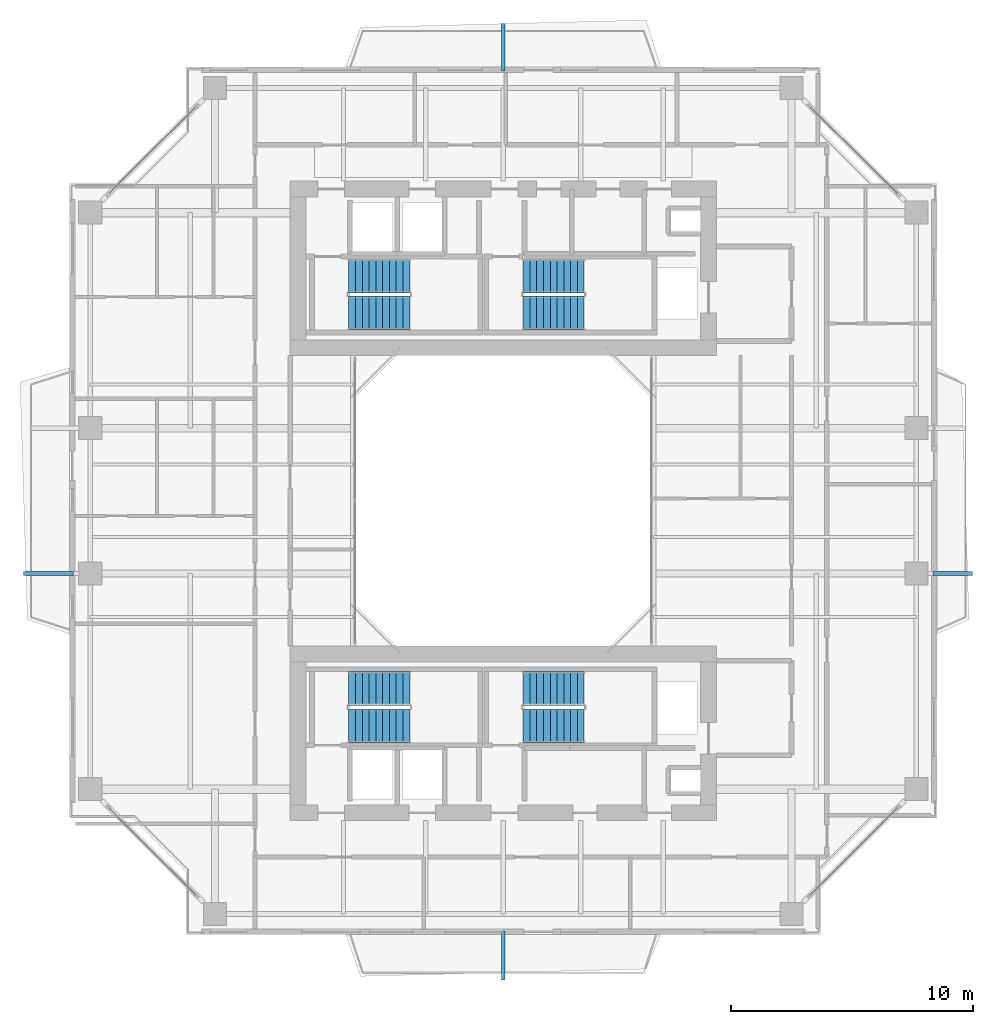
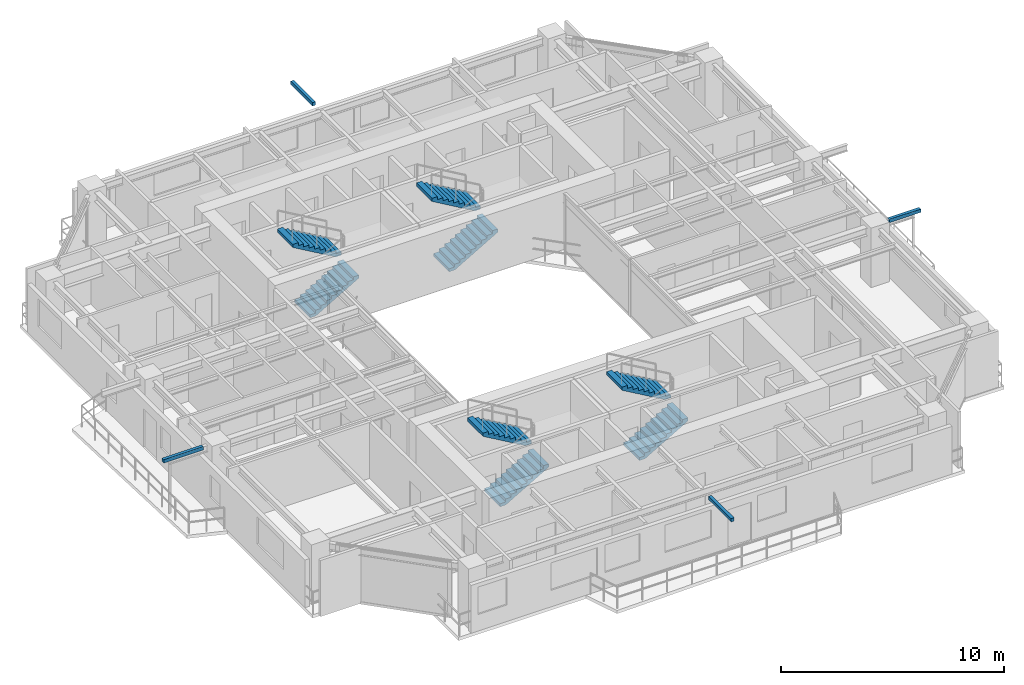
# One storey, part 15 of 18: 8 stair flights, 4 discrete accessories, 4 elements without a shape of their own.
"""IFC4 building model written with IfcOpenShell, lengths in metres."""

import ifcopenshell
import ifcopenshell.guid

model = None  # the IFC model being written
_history = None  # IfcOwnerHistory: only IFC2X3 demands one
_inside = {}  # id of a spatial element -> (the spatial element, [elements in it])
_under = {}  # id of a project, library or spatial element -> (it, [spatial elements below it])
_declared = {}  # id of a project -> (the project, [libraries it declares])
_typed = {}  # id of a type object -> (the type object, [elements of that type])
_made_of = {}  # id of a material, layer set ... -> (it, [elements and type objects made of it])


def new_model(schema):
    """Start an empty IFC model of exactly this schema.

    Asked for "IFC4X3", IfcOpenShell would pick the latest addendum, in which some entities
    have other attributes; the version numbers below select the first issue.
    IFC2X3 requires an IfcOwnerHistory on every rooted entity: one is made here for all.
    """
    global model, _history
    if schema == "IFC4X3":
        model = ifcopenshell.file(schema_version=(4, 3, 0, 0))
    else:
        model = ifcopenshell.file(schema=schema)
    _inside.clear()
    _under.clear()
    _declared.clear()
    _typed.clear()
    _made_of.clear()
    _history = None
    if model.schema == "IFC2X3":
        org = make("IfcOrganization", Name="unknown")
        user = make(
            "IfcPersonAndOrganization",
            ThePerson=make("IfcPerson", FamilyName="unknown"),
            TheOrganization=org,
        )
        app = make(
            "IfcApplication",
            ApplicationDeveloper=org,
            Version="unknown",
            ApplicationFullName="unknown",
            ApplicationIdentifier="unknown",
        )
        _history = make(
            "IfcOwnerHistory",
            OwningUser=user,
            OwningApplication=app,
            ChangeAction="ADDED",
            CreationDate=0,
        )
    return model


def make(cls, **values):
    """One entity of the class cls with the attributes given. An attribute that is None is left unset."""
    return model.create_entity(
        cls, **{name: value for name, value in values.items() if value is not None}
    )


def rooted(cls, **values):
    """An entity with a GlobalId (a new one), such as an element, a storey or a relation."""
    return make(cls, GlobalId=ifcopenshell.guid.new(), OwnerHistory=_history, **values)


def si_unit(unit_type, name, prefix=None):
    """IfcSIUnit, for example si_unit("LENGTHUNIT", "METRE", prefix="MILLI")."""
    return make("IfcSIUnit", UnitType=unit_type, Prefix=prefix, Name=name)


def assignment(units):
    """IfcUnitAssignment: the units of a project."""
    return None if units is None else make("IfcUnitAssignment", Units=units)


def point(xyz):
    """IfcCartesianPoint."""
    return None if xyz is None else make("IfcCartesianPoint", Coordinates=xyz)


def direction(xyz):
    """IfcDirection."""
    return None if xyz is None else make("IfcDirection", DirectionRatios=xyz)


def frame(location, z_axis=None, x_axis=None):
    """IfcAxis2Placement3D, a coordinate frame: its origin and axes. An axis left out is left unset."""
    return make(
        "IfcAxis2Placement3D",
        Location=point(location),
        Axis=direction(z_axis),
        RefDirection=direction(x_axis),
    )


def frame_2d(location, x_axis=None):
    """IfcAxis2Placement2D, a coordinate frame in the plane: its origin and x axis."""
    return make(
        "IfcAxis2Placement2D", Location=point(location), RefDirection=direction(x_axis)
    )


def origin():
    """The frame at (0, 0, 0) with its axes left unset."""
    return frame((0.0, 0.0, 0.0))


def origin_2d():
    """The frame at (0, 0) in the plane with its x axis left unset."""
    return frame_2d((0.0, 0.0))


def place(relative_to, where):
    """IfcLocalPlacement: puts the frame where relative to a parent placement (None: the world)."""
    return make(
        "IfcLocalPlacement", PlacementRelTo=relative_to, RelativePlacement=where
    )


def context(
    kind, dimensions, precision=None, world=None, true_north=None, identifier=None
):
    """IfcGeometricRepresentationContext, for example the 3D "Model" context."""
    return make(
        "IfcGeometricRepresentationContext",
        ContextIdentifier=identifier,
        ContextType=kind,
        CoordinateSpaceDimension=dimensions,
        Precision=precision,
        WorldCoordinateSystem=world,
        TrueNorth=true_north,
    )


def subcontext(parent, identifier, kind, view, scale=None):
    """IfcGeometricRepresentationSubContext, for example "Body" below "Model"."""
    return make(
        "IfcGeometricRepresentationSubContext",
        ContextIdentifier=identifier,
        ContextType=kind,
        ParentContext=parent,
        TargetScale=scale,
        TargetView=view,
    )


def project(units=None, contexts=None):
    """IfcProject with its units and contexts."""
    return rooted(
        "IfcProject",
        Name="project",
        RepresentationContexts=contexts,
        UnitsInContext=assignment(units),
    )


def spatial(cls, under=None, at=None, **own):
    """A site, building, storey or space (cls), placed at a placement, below another one or the project."""
    s = rooted(cls, ObjectPlacement=at, **own)
    if under is not None:
        _under.setdefault(under.id(), (under, []))[1].append(s)
    return s


def polyline(points):
    """IfcPolyline through the points."""
    return make("IfcPolyline", Points=[point(p) for p in points])


def profile(cls, at=None, kind="AREA", **sizes):
    """A parametric profile (cls). Its sizes go by their IFC names, for example OverallWidth=200.0."""
    return make(cls, ProfileType=kind, Position=at, **sizes)


def rectangle(**sizes):
    """IfcRectangleProfileDef."""
    return profile("IfcRectangleProfileDef", **sizes)


def outline(outer, holes=None, kind="AREA"):
    """IfcArbitraryClosedProfileDef: a profile drawn as a closed curve; with holes, ...WithVoids."""
    if holes is None:
        return make("IfcArbitraryClosedProfileDef", ProfileType=kind, OuterCurve=outer)
    return make(
        "IfcArbitraryProfileDefWithVoids",
        ProfileType=kind,
        OuterCurve=outer,
        InnerCurves=holes,
    )


def extrude(swept, where, along, depth):
    """IfcExtrudedAreaSolid: the profile swept, set in the frame where, extruded along a direction by depth."""
    return make(
        "IfcExtrudedAreaSolid",
        SweptArea=swept,
        Position=where,
        ExtrudedDirection=direction(along),
        Depth=depth,
    )


def shape(context_of_items, identifier, shape_type, items):
    """IfcShapeRepresentation: the items that make up one representation, for example the "Body"."""
    return make(
        "IfcShapeRepresentation",
        ContextOfItems=context_of_items,
        RepresentationIdentifier=identifier,
        RepresentationType=shape_type,
        Items=items,
    )


def source(mapping_origin, context_of_items, identifier, shape_type, items):
    """IfcRepresentationMap: a shape defined once, which mapped items show again and again."""
    return make(
        "IfcRepresentationMap",
        MappingOrigin=mapping_origin,
        MappedRepresentation=shape(context_of_items, identifier, shape_type, items),
    )


def transform(
    local_origin,
    x_axis=None,
    y_axis=None,
    z_axis=None,
    scale=None,
    scale2=None,
    scale3=None,
    uniform=True,
):
    """IfcCartesianTransformationOperator3D, or its non-uniform kind. x_axis, y_axis, z_axis: its Axis1, 2, 3."""
    if uniform:
        return make(
            "IfcCartesianTransformationOperator3D",
            Axis1=direction(x_axis),
            Axis2=direction(y_axis),
            LocalOrigin=point(local_origin),
            Scale=scale,
            Axis3=direction(z_axis),
        )
    return make(
        "IfcCartesianTransformationOperator3DnonUniform",
        Axis1=direction(x_axis),
        Axis2=direction(y_axis),
        LocalOrigin=point(local_origin),
        Scale=scale,
        Axis3=direction(z_axis),
        Scale2=scale2,
        Scale3=scale3,
    )


def mapped(mapping_source, mapping_target):
    """IfcMappedItem: shows the shape of a source again, moved by a transform."""
    return make(
        "IfcMappedItem", MappingSource=mapping_source, MappingTarget=mapping_target
    )


def material(Name=None, Category=None):
    """IfcMaterial."""
    return make("IfcMaterial", Name=Name, Category=Category)


def made_of(thing, what):
    """Note that an element or type object is made of a material, layer set ...; save() writes the relation."""
    if what is not None:
        _made_of.setdefault(what.id(), (what, []))[1].append(thing)
    return thing


def type_object(cls, material=None, **own):
    """A type object (cls), such as IfcWallType, which elements share."""
    return made_of(rooted(cls, **own), material)


def element(
    cls,
    number,
    at=None,
    inside=None,
    cuts=None,
    type_object=None,
    material=None,
    context=None,
    identifier="Body",
    shape_type=None,
    held_by="IfcProductDefinitionShape",
    body=None,
    shapes=None,
    **own,
):
    """One element of the class cls, such as IfcWall. Its Tag is "e" and its number.

    at: its placement. inside: the storey or other place that contains it. cuts: it is an
    opening in that element (IfcRelVoidsElement). A single representation is given by context,
    identifier, shape_type and body (its items); several are given by shapes. held_by: the class
    of the entity that holds the representations. save() writes the other relations.
    """
    e = rooted(cls, Tag="e%d" % number, ObjectPlacement=at, **own)
    if body is not None:
        shapes = [shape(context, identifier, shape_type, body)]
    if shapes is not None:
        e.Representation = make(held_by, Representations=shapes)
    if inside is not None:
        _inside.setdefault(inside.id(), (inside, []))[1].append(e)
    if cuts is not None:
        rooted(
            "IfcRelVoidsElement", RelatingBuildingElement=cuts, RelatedOpeningElement=e
        )
    if type_object is not None:
        _typed.setdefault(type_object.id(), (type_object, []))[1].append(e)
    return made_of(e, material)


def aggregate(whole, parts):
    """IfcRelAggregates: a whole, such as a stair, and the parts it consists of."""
    return rooted("IfcRelAggregates", RelatingObject=whole, RelatedObjects=parts)


def save(model, path):
    """Write the relations noted so far, then the file.

    IfcRelAggregates (storeys below a building ...), IfcRelContainedInSpatialStructure (elements
    in a storey), IfcRelDefinesByType, IfcRelAssociatesMaterial and IfcRelDeclares: one each for
    every whole, place, type object, material and project.
    """
    for whole, parts in _under.values():
        aggregate(whole, parts)
    for where, things in _inside.values():
        rooted(
            "IfcRelContainedInSpatialStructure",
            RelatedElements=things,
            RelatingStructure=where,
        )
    for kind, things in _typed.values():
        rooted("IfcRelDefinesByType", RelatedObjects=things, RelatingType=kind)
    for what, things in _made_of.values():
        rooted("IfcRelAssociatesMaterial", RelatedObjects=things, RelatingMaterial=what)
    for by, libraries in _declared.values():
        rooted("IfcRelDeclares", RelatingContext=by, RelatedDefinitions=libraries)
    model.write(path)


model = new_model("IFC4")

# Units and contexts
model_context = context("Model", 3, precision=1e-05, world=origin(), true_north=direction((0.0, 1.0)))
body_context = subcontext(model_context, "Body", "Model", "MODEL_VIEW")
ifc_project = project(units=[si_unit("LENGTHUNIT", "METRE"), si_unit("AREAUNIT", "SQUARE_METRE"), si_unit("VOLUMEUNIT", "CUBIC_METRE"), si_unit("PLANEANGLEUNIT", "RADIAN"), si_unit("MASSUNIT", "GRAM", prefix="KILO"), si_unit("THERMODYNAMICTEMPERATUREUNIT", "KELVIN"), si_unit("POWERUNIT", "WATT")], contexts=[model_context])

# Site, building, storey
site_placement = place(None, origin())
site = spatial("IfcSite", under=ifc_project, at=site_placement, CompositionType="ELEMENT")
building_placement = place(site_placement, origin())
building = spatial("IfcBuilding", under=site, at=building_placement, Name="Qiaomeng Ring Towers", CompositionType="ELEMENT")
storey_placement = place(building_placement, frame((0.0, 0.0, 147.0)))
storey = spatial("IfcBuildingStorey", under=building, at=storey_placement, Name="L42", CompositionType="ELEMENT", Elevation=147.0)

# Stair, stair flights
ifc_material_1 = material(Name="Precast concrete C40", Category="concrete")
stair_type = type_object("IfcStairType", Name="ARC-ST-325", PredefinedType="HALF_TURN_STAIR", material=ifc_material_1)
stair_1_placement = place(storey_placement, origin())
stair_1 = element("IfcStair", 1, at=stair_1_placement, inside=storey, type_object=stair_type, Name="L42 Tower 1 North Stair 1", PredefinedType="HALF_TURN_STAIR")
stair_flight_type = type_object("IfcStairFlightType", Name="ARC-ST-325-FL", PredefinedType="STRAIGHT", material=ifc_material_1)
shared_shape_1 = source(origin(), body_context, "Body", "SweptSolid", [
    extrude(outline(polyline([(0.0, 0.0), (0.0, 0.16259765625), (0.280029296875, 0.16259765625), (0.280029296875, 0.324951171875), (0.56005859375, 0.324951171875), (0.56005859375, 0.487548828125), (0.840087890625, 0.487548828125), (0.840087890625, 0.64990234375), (1.1201171875, 0.64990234375), (1.1201171875, 0.8125), (1.39990234375, 0.8125), (1.39990234375, 0.97509765625), (1.679931640625, 0.97509765625), (1.679931640625, 1.137451171875), (1.9599609375, 1.137451171875), (1.9599609375, 1.300048828125), (2.239990234375, 1.300048828125), (2.239990234375, 1.46240234375), (2.52001953125, 1.46240234375), (2.52001953125, 1.625), (2.52001953125, 1.2890625), (0.298583984375, 0.0), (0.0, 0.0)])), frame((0.0, 0.699951171875, 0.0), z_axis=(0.0, -1.0, 0.0), x_axis=(1.0, 0.0, 0.0)), (0.0, 0.0, 1.0), 1.39990234375),
])
stair_flight_1_placement = place(storey_placement, frame((12.6201171875, 30.75, 0.0), z_axis=(0.0, 0.0, 1.0), x_axis=(1.0, 0.0, 0.0)))
stair_flight_1 = element("IfcStairFlight", 2, at=stair_flight_1_placement, type_object=stair_flight_type, Name="ST1 flight 1", NumberOfRisers=10, NumberOfTreads=9, PredefinedType="STRAIGHT", RiserHeight=0.1625, TreadLength=0.28, context=body_context, shape_type="MappedRepresentation", body=[
    mapped(shared_shape_1, transform((0.0, 0.0, 0.0), x_axis=(1.0, 0.0, 0.0), y_axis=(0.0, 1.0, 0.0), z_axis=(0.0, 0.0, 1.0), scale=1.0)),
])
stair_flight_2_placement = place(storey_placement, frame((15.139892578125, 32.2900390625, 1.625), z_axis=(0.0, 0.0, 1.0), x_axis=(-1.0, 0.0, 0.0)))
stair_flight_2 = element("IfcStairFlight", 3, at=stair_flight_2_placement, type_object=stair_flight_type, Name="ST1 flight 2", NumberOfRisers=10, NumberOfTreads=9, PredefinedType="STRAIGHT", RiserHeight=0.1625, TreadLength=0.28, context=body_context, shape_type="MappedRepresentation", body=[
    mapped(shared_shape_1, transform((0.0, 0.0, 0.0), x_axis=(1.0, 0.0, 0.0), y_axis=(0.0, 1.0, 0.0), z_axis=(0.0, 0.0, 1.0), scale=1.0)),
])
aggregate(stair_1, [stair_flight_1, stair_flight_2])

stair_2_placement = place(storey_placement, origin())
stair_2 = element("IfcStair", 4, at=stair_2_placement, inside=storey, type_object=stair_type, Name="L42 Tower 1 North Stair 2", PredefinedType="HALF_TURN_STAIR")
stair_flight_3_placement = place(storey_placement, frame((19.820068359375, 30.75, 0.0), z_axis=(0.0, 0.0, 1.0), x_axis=(1.0, 0.0, 0.0)))
stair_flight_3 = element("IfcStairFlight", 5, at=stair_flight_3_placement, type_object=stair_flight_type, Name="ST2 flight 1", NumberOfRisers=10, NumberOfTreads=9, PredefinedType="STRAIGHT", RiserHeight=0.1625, TreadLength=0.28, context=body_context, shape_type="MappedRepresentation", body=[
    mapped(shared_shape_1, transform((0.0, 0.0, 0.0), x_axis=(1.0, 0.0, 0.0), y_axis=(0.0, 1.0, 0.0), z_axis=(0.0, 0.0, 1.0), scale=1.0)),
])
stair_flight_4_placement = place(storey_placement, frame((22.340087890625, 32.2900390625, 1.625), z_axis=(0.0, 0.0, 1.0), x_axis=(-1.0, 0.0, 0.0)))
stair_flight_4 = element("IfcStairFlight", 6, at=stair_flight_4_placement, type_object=stair_flight_type, Name="ST2 flight 2", NumberOfRisers=10, NumberOfTreads=9, PredefinedType="STRAIGHT", RiserHeight=0.1625, TreadLength=0.28, context=body_context, shape_type="MappedRepresentation", body=[
    mapped(shared_shape_1, transform((0.0, 0.0, 0.0), x_axis=(1.0, 0.0, 0.0), y_axis=(0.0, 1.0, 0.0), z_axis=(0.0, 0.0, 1.0), scale=1.0)),
])
aggregate(stair_2, [stair_flight_3, stair_flight_4])

stair_3_placement = place(storey_placement, origin())
stair_3 = element("IfcStair", 7, at=stair_3_placement, inside=storey, type_object=stair_type, Name="L42 Tower 1 South Stair 3", PredefinedType="HALF_TURN_STAIR")
stair_flight_5_placement = place(storey_placement, frame((12.6201171875, 13.7099609375, 0.0), z_axis=(0.0, 0.0, 1.0), x_axis=(1.0, 0.0, 0.0)))
stair_flight_5 = element("IfcStairFlight", 8, at=stair_flight_5_placement, type_object=stair_flight_type, Name="ST3 flight 1", NumberOfRisers=10, NumberOfTreads=9, PredefinedType="STRAIGHT", RiserHeight=0.1625, TreadLength=0.28, context=body_context, shape_type="MappedRepresentation", body=[
    mapped(shared_shape_1, transform((0.0, 0.0, 0.0), x_axis=(1.0, 0.0, 0.0), y_axis=(0.0, 1.0, 0.0), z_axis=(0.0, 0.0, 1.0), scale=1.0)),
])
stair_flight_6_placement = place(storey_placement, frame((15.139892578125, 15.25, 1.625), z_axis=(0.0, 0.0, 1.0), x_axis=(-1.0, 0.0, 0.0)))
stair_flight_6 = element("IfcStairFlight", 9, at=stair_flight_6_placement, type_object=stair_flight_type, Name="ST3 flight 2", NumberOfRisers=10, NumberOfTreads=9, PredefinedType="STRAIGHT", RiserHeight=0.1625, TreadLength=0.28, context=body_context, shape_type="MappedRepresentation", body=[
    mapped(shared_shape_1, transform((0.0, 0.0, 0.0), x_axis=(1.0, 0.0, 0.0), y_axis=(0.0, 1.0, 0.0), z_axis=(0.0, 0.0, 1.0), scale=1.0)),
])
aggregate(stair_3, [stair_flight_5, stair_flight_6])

stair_4_placement = place(storey_placement, origin())
stair_4 = element("IfcStair", 10, at=stair_4_placement, inside=storey, type_object=stair_type, Name="L42 Tower 1 South Stair 4", PredefinedType="HALF_TURN_STAIR")
stair_flight_7_placement = place(storey_placement, frame((19.820068359375, 13.7099609375, 0.0), z_axis=(0.0, 0.0, 1.0), x_axis=(1.0, 0.0, 0.0)))
stair_flight_7 = element("IfcStairFlight", 11, at=stair_flight_7_placement, type_object=stair_flight_type, Name="ST4 flight 1", NumberOfRisers=10, NumberOfTreads=9, PredefinedType="STRAIGHT", RiserHeight=0.1625, TreadLength=0.28, context=body_context, shape_type="MappedRepresentation", body=[
    mapped(shared_shape_1, transform((0.0, 0.0, 0.0), x_axis=(1.0, 0.0, 0.0), y_axis=(0.0, 1.0, 0.0), z_axis=(0.0, 0.0, 1.0), scale=1.0)),
])
stair_flight_8_placement = place(storey_placement, frame((22.340087890625, 15.25, 1.625), z_axis=(0.0, 0.0, 1.0), x_axis=(-1.0, 0.0, 0.0)))
stair_flight_8 = element("IfcStairFlight", 12, at=stair_flight_8_placement, type_object=stair_flight_type, Name="ST4 flight 2", NumberOfRisers=10, NumberOfTreads=9, PredefinedType="STRAIGHT", RiserHeight=0.1625, TreadLength=0.28, context=body_context, shape_type="MappedRepresentation", body=[
    mapped(shared_shape_1, transform((0.0, 0.0, 0.0), x_axis=(1.0, 0.0, 0.0), y_axis=(0.0, 1.0, 0.0), z_axis=(0.0, 0.0, 1.0), scale=1.0)),
])
aggregate(stair_4, [stair_flight_7, stair_flight_8])

# Discrete accessories
ifc_material_2 = material(Name="Stainless steel 316", Category="steel")
discrete_accessory_type = type_object("IfcDiscreteAccessoryType", Name="ARC-ACC-BRACKET", PredefinedType="BRACKET", material=ifc_material_2)
shared_shape_2 = source(origin(), body_context, "Body", "SweptSolid", [
    extrude(rectangle(XDim=0.159912109375, YDim=2.030029296875, at=origin_2d()), origin(), (0.0, 0.0, 1.0), 0.179931640625),
])
discrete_accessory_1_placement = place(storey_placement, frame((19.0, 4.235107421875, 2.89990234375), z_axis=(0.0, 0.0, 1.0), x_axis=(1.0, 0.0, 0.0)))
element("IfcDiscreteAccessory", 13, at=discrete_accessory_1_placement, inside=storey, type_object=discrete_accessory_type, Name="L42 Stainless Outer-Skin Tie Bracket S", PredefinedType="BRACKET", context=body_context, shape_type="MappedRepresentation", body=[
    mapped(shared_shape_2, transform((0.0, 0.0, 0.0), x_axis=(1.0, 0.0, 0.0), y_axis=(0.0, 1.0, 0.0), z_axis=(0.0, 0.0, 1.0), scale=1.0)),
])
shared_shape_3 = source(origin(), body_context, "Body", "SweptSolid", [
    extrude(rectangle(XDim=1.6298828125, YDim=0.159912109375, at=origin_2d()), origin(), (0.0, 0.0, 1.0), 0.179931640625),
])
discrete_accessory_2_placement = place(storey_placement, frame((37.56494140625, 20.0, 2.89990234375), z_axis=(0.0, 0.0, 1.0), x_axis=(1.0, 0.0, 0.0)))
element("IfcDiscreteAccessory", 14, at=discrete_accessory_2_placement, inside=storey, type_object=discrete_accessory_type, Name="L42 Stainless Outer-Skin Tie Bracket E", PredefinedType="BRACKET", context=body_context, shape_type="MappedRepresentation", body=[
    mapped(shared_shape_3, transform((0.0, 0.0, 0.0), x_axis=(1.0, 0.0, 0.0), y_axis=(0.0, 1.0, 0.0), z_axis=(0.0, 0.0, 1.0), scale=1.0)),
])
shared_shape_4 = source(origin(), body_context, "Body", "SweptSolid", [
    extrude(rectangle(XDim=0.159912109375, YDim=1.949951171875, at=origin_2d()), origin(), (0.0, 0.0, 1.0), 0.179931640625),
])
discrete_accessory_3_placement = place(storey_placement, frame((19.0, 41.72509765625, 2.89990234375), z_axis=(0.0, 0.0, 1.0), x_axis=(1.0, 0.0, 0.0)))
element("IfcDiscreteAccessory", 15, at=discrete_accessory_3_placement, inside=storey, type_object=discrete_accessory_type, Name="L42 Stainless Outer-Skin Tie Bracket N", PredefinedType="BRACKET", context=body_context, shape_type="MappedRepresentation", body=[
    mapped(shared_shape_4, transform((0.0, 0.0, 0.0), x_axis=(1.0, 0.0, 0.0), y_axis=(0.0, 1.0, 0.0), z_axis=(0.0, 0.0, 1.0), scale=1.0)),
])
shared_shape_5 = source(origin(), body_context, "Body", "SweptSolid", [
    extrude(rectangle(XDim=2.050048828125, YDim=0.159912109375, at=origin_2d()), origin(), (0.0, 0.0, 1.0), 0.179931640625),
])
discrete_accessory_4_placement = place(storey_placement, frame((0.22509765625, 20.0, 2.89990234375), z_axis=(0.0, 0.0, 1.0), x_axis=(1.0, 0.0, 0.0)))
element("IfcDiscreteAccessory", 16, at=discrete_accessory_4_placement, inside=storey, type_object=discrete_accessory_type, Name="L42 Stainless Outer-Skin Tie Bracket W", PredefinedType="BRACKET", context=body_context, shape_type="MappedRepresentation", body=[
    mapped(shared_shape_5, transform((0.0, 0.0, 0.0), x_axis=(1.0, 0.0, 0.0), y_axis=(0.0, 1.0, 0.0), z_axis=(0.0, 0.0, 1.0), scale=1.0)),
])

save(model, "model.ifc")
